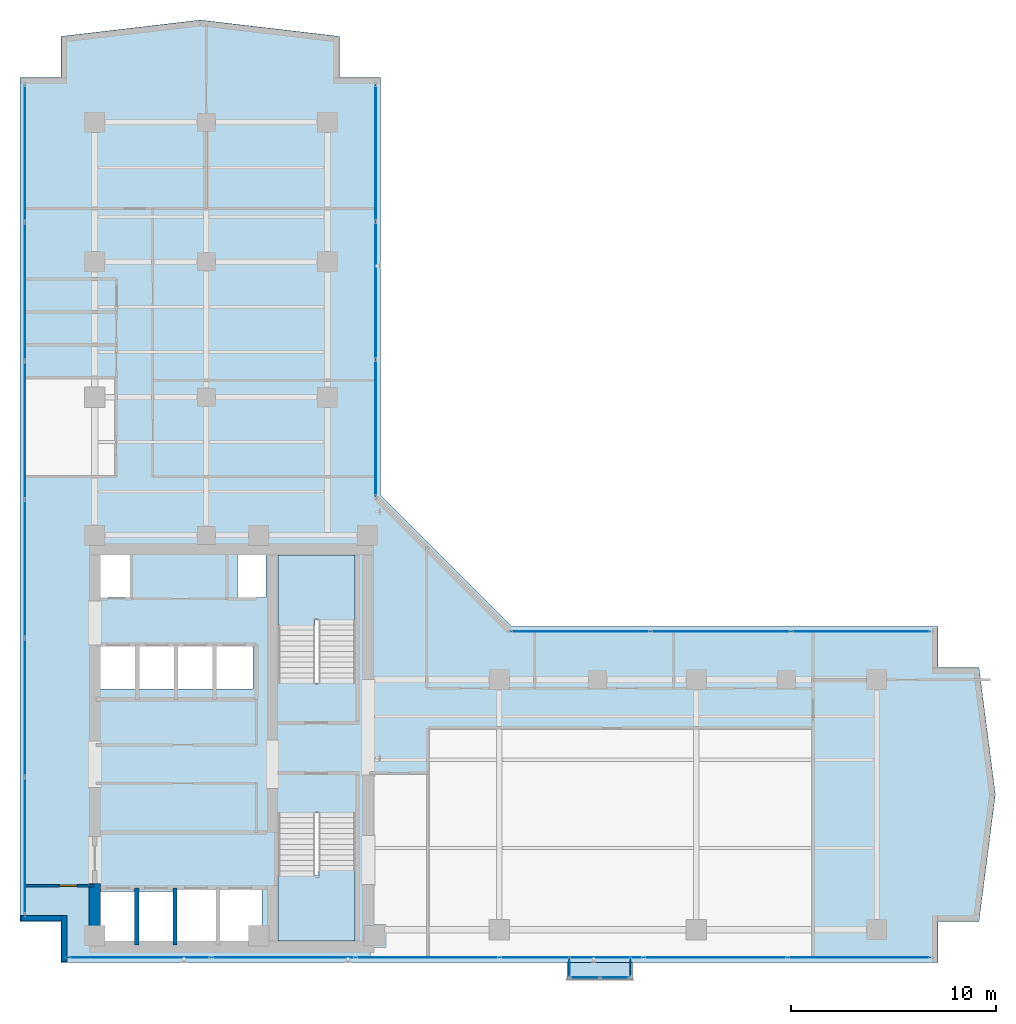
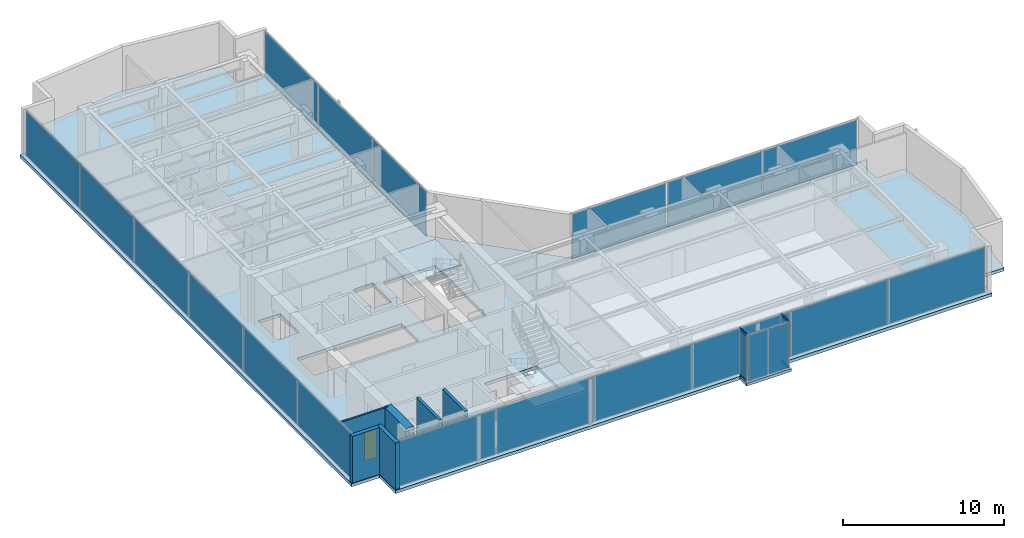
# One storey, part 16 of 23: 22 plates, 6 walls, 4 members, 4 slabs, 1 door, 1 opening, 9 elements without a shape of their own.
"""IFC4 building model written with IfcOpenShell, lengths in metres."""

from ifc_helpers import new_model, si_unit, direction, frame, frame_2d, origin, origin_with_axes, origin_2d, place, context, subcontext, project, spatial, polyline, rectangle, hollow_rectangle, outline, extrude, source, transform, mapped, material, layer, layer_set, material_profile, profile_set, type_object, element, fill, aggregate, save


model = new_model("IFC4")

# Units and contexts
model_context = context("Model", 3, precision=1e-05, world=origin(), true_north=direction((0.0, 1.0)))
body_context = subcontext(model_context, "Body", "Model", "MODEL_VIEW")
ifc_project = project(units=[si_unit("LENGTHUNIT", "METRE"), si_unit("AREAUNIT", "SQUARE_METRE"), si_unit("VOLUMEUNIT", "CUBIC_METRE"), si_unit("PLANEANGLEUNIT", "RADIAN"), si_unit("MASSUNIT", "GRAM", prefix="KILO")], contexts=[model_context])

# Site, building, storey
site_placement = place(None, origin())
site = spatial("IfcSite", under=ifc_project, at=site_placement, CompositionType="ELEMENT")
building_placement = place(site_placement, origin())
building = spatial("IfcBuilding", under=site, at=building_placement, Name="Kolvaren Waterfront Exchange", CompositionType="ELEMENT")
storey_placement = place(building_placement, frame((0.0, 0.0, 250.10009765625)))
storey = spatial("IfcBuildingStorey", under=building, at=storey_placement, Name="L64", CompositionType="ELEMENT", Elevation=250.10009765625)

# Curtain wall, members
ifc_material_1 = material(Name="Anodised bronze aluminium 6063-T6", Category="aluminium")
ifc_layer_1 = layer(ifc_material_1, 0.219970703125, Name="Anodised bronze aluminium 6063-T6")
ifc_layer_set_1 = layer_set([ifc_layer_1], Name="Anodised bronze aluminium 6063-T6")
curtain_wall_type_1 = type_object("IfcCurtainWallType", Name="ARC-CW-SYS3", PredefinedType="USERDEFINED", material=ifc_layer_set_1)
curtain_wall_1_placement = place(storey_placement, origin())
curtain_wall_1 = element("IfcCurtainWall", 1, at=curtain_wall_1_placement, inside=storey, type_object=curtain_wall_type_1, Name="L64 stick curtain wall CW3 (CW-L64-BOX-W)", ObjectType="STICK CURTAIN WALL", PredefinedType="USERDEFINED")
ifc_material_profile = material_profile(ifc_material_1, hollow_rectangle(XDim=0.06494140625, YDim=0.1298828125, WallThickness=0.00390625, at=origin_2d()), Name="ALU-TRN-130x65x4")
ifc_profile_set = profile_set([ifc_material_profile], Name="Anodised bronze aluminium 6063-T6")
member_type = type_object("IfcMemberType", Name="ARC-CWT-130", PredefinedType="USERDEFINED", material=ifc_profile_set)
shared_shape_1 = source(origin_with_axes(), body_context, "Body", "SweptSolid", [
    extrude(hollow_rectangle(XDim=0.06494140625, YDim=0.1298828125, WallThickness=0.00390625, at=origin_2d()), origin(), (0.0, 0.0, 1.0), 0.829833984375),
])
member_1_placement = place(storey_placement, frame((30.610107421875, 3.764892578125, 0.032470703125), z_axis=(0.0, -1.0, 0.0), x_axis=(1.0, 0.0, 0.0)))
member_1 = element("IfcMember", 2, at=member_1_placement, type_object=member_type, Name="CW3 transom 1.1", ObjectType="TRANSOM", PredefinedType="USERDEFINED", context=body_context, shape_type="MappedRepresentation", body=[
    mapped(shared_shape_1, transform((0.0, 0.0, 0.0), x_axis=(1.0, 0.0, 0.0), y_axis=(0.0, 1.0, 0.0), z_axis=(0.0, 0.0, 1.0), scale=1.0)),
])
member_2_placement = place(storey_placement, frame((30.610107421875, 3.764892578125, 3.52734375), z_axis=(0.0, -1.0, 0.0), x_axis=(1.0, 0.0, 0.0)))
member_2 = element("IfcMember", 3, at=member_2_placement, type_object=member_type, Name="CW3 transom 1.2", ObjectType="TRANSOM", PredefinedType="USERDEFINED", context=body_context, shape_type="MappedRepresentation", body=[
    mapped(shared_shape_1, transform((0.0, 0.0, 0.0), x_axis=(1.0, 0.0, 0.0), y_axis=(0.0, 1.0, 0.0), z_axis=(0.0, 0.0, 1.0), scale=1.0)),
])

curtain_wall_2_placement = place(storey_placement, origin())
curtain_wall_2 = element("IfcCurtainWall", 4, at=curtain_wall_2_placement, inside=storey, type_object=curtain_wall_type_1, Name="L64 stick curtain wall CW3 (CW-L64-BOX-E)", ObjectType="STICK CURTAIN WALL", PredefinedType="USERDEFINED")
member_3_placement = place(storey_placement, frame((33.590087890625, 2.93505859375, 0.032470703125), z_axis=(0.0, 1.0, 0.0), x_axis=(-1.0, 0.0, 0.0)))
member_3 = element("IfcMember", 5, at=member_3_placement, type_object=member_type, Name="CW3 transom 1.1", ObjectType="TRANSOM", PredefinedType="USERDEFINED", context=body_context, shape_type="MappedRepresentation", body=[
    mapped(shared_shape_1, transform((0.0, 0.0, 0.0), x_axis=(1.0, 0.0, 0.0), y_axis=(0.0, 1.0, 0.0), z_axis=(0.0, 0.0, 1.0), scale=1.0)),
])
member_4_placement = place(storey_placement, frame((33.590087890625, 2.93505859375, 3.52734375), z_axis=(0.0, 1.0, 0.0), x_axis=(-1.0, 0.0, 0.0)))
member_4 = element("IfcMember", 6, at=member_4_placement, type_object=member_type, Name="CW3 transom 1.2", ObjectType="TRANSOM", PredefinedType="USERDEFINED", context=body_context, shape_type="MappedRepresentation", body=[
    mapped(shared_shape_1, transform((0.0, 0.0, 0.0), x_axis=(1.0, 0.0, 0.0), y_axis=(0.0, 1.0, 0.0), z_axis=(0.0, 0.0, 1.0), scale=1.0)),
])

# Stair, slab
ifc_material_2 = material(Name="Concrete C40/50", Category="concrete")
stair_type = type_object("IfcStairType", Name="ARC-STAIR-3800", PredefinedType="HALF_TURN_STAIR", material=ifc_material_2)
stair_1_placement = place(storey_placement, origin())
stair_1 = element("IfcStair", 7, at=stair_1_placement, inside=storey, type_object=stair_type, Name="L64 Smoke-proof exit stair ST1", PredefinedType="HALF_TURN_STAIR")
ifc_layer_2 = layer(ifc_material_2, 0.199951171875, Name="Concrete C40/50")
ifc_layer_set_2 = layer_set([ifc_layer_2], Name="Concrete C40/50")
slab_type_1 = type_object("IfcSlabType", Name="STR-LANDING-200", PredefinedType="LANDING", material=ifc_layer_set_2)
slab_1_placement = place(storey_placement, frame((0.0, 0.0, 1.77587890625)))
slab_1 = element("IfcSlab", 8, at=slab_1_placement, type_object=slab_type_1, Name="ST1 landing 1", PredefinedType="LANDING", context=body_context, shape_type="SweptSolid", body=[
    extrude(outline(polyline([(16.39990234375, 7.840087890625), (16.39990234375, 4.64990234375), (20.159912109375, 4.64990234375), (20.159912109375, 8.10009765625), (18.360107421875, 8.10009765625), (18.360107421875, 7.840087890625), (16.39990234375, 7.840087890625)])), origin(), (0.0, 0.0, 1.0), 0.199951171875),
])
aggregate(stair_1, [slab_1])

stair_2_placement = place(storey_placement, origin())
stair_2 = element("IfcStair", 9, at=stair_2_placement, inside=storey, type_object=stair_type, Name="L64 Smoke-proof exit stair ST2", PredefinedType="HALF_TURN_STAIR")
slab_2_placement = place(storey_placement, frame((0.0, 0.0, 1.77587890625)))
slab_2 = element("IfcSlab", 10, at=slab_2_placement, type_object=slab_type_1, Name="ST2 landing 1", PredefinedType="LANDING", context=body_context, shape_type="SweptSolid", body=[
    extrude(outline(polyline([(20.159912109375, 20.31005859375), (20.159912109375, 23.5), (16.39990234375, 23.5), (16.39990234375, 20.050048828125), (18.199951171875, 20.050048828125), (18.199951171875, 20.31005859375), (20.159912109375, 20.31005859375)])), origin(), (0.0, 0.0, 1.0), 0.199951171875),
])
aggregate(stair_2, [slab_2])

# Slabs
ifc_layer_3 = layer(ifc_material_2, 0.239990234375, Name="Concrete C40/50")
ifc_layer_set_3 = layer_set([ifc_layer_3], Name="Concrete C40/50")
slab_type_2 = type_object("IfcSlabType", Name="STR-SLAB-240", PredefinedType="FLOOR", material=ifc_layer_set_3)
slab_3_placement = place(storey_placement, frame((0.0, 0.0, -0.239990234375)))
element("IfcSlab", 11, at=slab_3_placement, inside=storey, type_object=slab_type_2, Name="L64 structural floor slab", PredefinedType="FLOOR", context=body_context, shape_type="SweptSolid", body=[
    extrude(outline(polyline([(5.800048828125, 3.60009765625), (48.60009765625, 3.60009765625), (48.60009765625, 5.60009765625), (50.60009765625, 5.60009765625), (51.39990234375, 11.800048828125), (50.60009765625, 18.0), (48.60009765625, 18.0), (48.60009765625, 20.0), (27.800048828125, 20.0), (21.39990234375, 26.39990234375), (21.39990234375, 46.800048828125), (19.39990234375, 46.800048828125), (19.39990234375, 48.800048828125), (12.60009765625, 49.60009765625), (5.800048828125, 48.800048828125), (5.800048828125, 46.800048828125), (3.800048828125, 46.800048828125), (3.800048828125, 5.60009765625), (5.800048828125, 5.60009765625), (5.800048828125, 3.60009765625)]), holes=[polyline([(11.320068359375, 7.260009765625), (15.610107421875, 7.260009765625), (15.610107421875, 4.5400390625), (7.719970703125, 4.5400390625), (7.719970703125, 7.06005859375), (11.320068359375, 7.06005859375), (11.320068359375, 7.260009765625)]), polyline([(20.159912109375, 10.89990234375), (20.159912109375, 4.64990234375), (16.39990234375, 4.64990234375), (16.39990234375, 10.89990234375), (20.159912109375, 10.89990234375)]), polyline([(7.669921875, 19.06005859375), (15.159912109375, 19.06005859375), (15.159912109375, 16.93994140625), (7.669921875, 16.93994140625), (7.669921875, 19.06005859375)]), polyline([(16.39990234375, 17.25), (16.39990234375, 23.5), (20.159912109375, 23.5), (20.159912109375, 17.25), (16.39990234375, 17.25)]), polyline([(7.60009765625, 23.780029296875), (9.179931640625, 23.780029296875), (9.179931640625, 21.419921875), (7.60009765625, 21.419921875), (7.60009765625, 23.780029296875)]), polyline([(14.419921875, 23.780029296875), (15.800048828125, 23.780029296875), (15.800048828125, 21.419921875), (14.419921875, 21.419921875), (14.419921875, 23.780029296875)])]), origin(), (0.0, 0.0, 1.0), 0.239990234375),
])
ifc_layer_4 = layer(ifc_material_2, 0.219970703125, Name="Concrete C40/50")
ifc_layer_set_4 = layer_set([ifc_layer_4], Name="Concrete C40/50")
slab_type_3 = type_object("IfcSlabType", Name="STR-TERR-220", PredefinedType="FLOOR", material=ifc_layer_set_4)
slab_4_placement = place(storey_placement, frame((0.0, 0.0, -0.22021484375)))
element("IfcSlab", 12, at=slab_4_placement, inside=storey, type_object=slab_type_3, Name="L64 projecting bay-box floor strip", PredefinedType="FLOOR", context=body_context, shape_type="SweptSolid", body=[
    extrude(outline(polyline([(30.5, 2.75), (33.699951171875, 2.75), (33.699951171875, 3.60009765625), (30.5, 3.60009765625), (30.5, 2.75)])), origin(), (0.0, 0.0, 1.0), 0.22021484375),
])

# Plate
ifc_material_3 = material(Name="Bronze tinted bay-box vision glass", Category="aluminium")
ifc_layer_5 = layer(ifc_material_3, 0.02392578125, Name="Bronze tinted bay-box vision glass")
ifc_layer_set_5 = layer_set([ifc_layer_5], Name="Bronze tinted bay-box vision glass")
plate_type_1 = type_object("IfcPlateType", Name="ARC-CWP-24", PredefinedType="CURTAIN_PANEL", material=ifc_layer_set_5)
shared_shape_2 = source(origin_with_axes(), body_context, "Body", "SweptSolid", [
    extrude(rectangle(XDim=0.830078125, YDim=0.02392578125, at=origin_2d()), origin(), (0.0, 0.0, 1.0), 3.429931640625),
])
plate_1_placement = place(storey_placement, frame((30.610107421875, 3.35009765625, 0.06494140625), z_axis=(0.0, 0.0, 1.0), x_axis=(0.0, -1.0, 0.0)))
plate_1 = element("IfcPlate", 13, at=plate_1_placement, type_object=plate_type_1, Name="CW3 panel 1.1", PredefinedType="CURTAIN_PANEL", context=body_context, shape_type="MappedRepresentation", body=[
    mapped(shared_shape_2, transform((0.0, 0.0, 0.0), x_axis=(1.0, 0.0, 0.0), y_axis=(0.0, 1.0, 0.0), z_axis=(0.0, 0.0, 1.0), scale=1.0)),
])

aggregate(curtain_wall_1, [member_1, member_2, plate_1])

plate_2_placement = place(storey_placement, frame((33.590087890625, 3.35009765625, 0.06494140625), z_axis=(0.0, 0.0, 1.0), x_axis=(0.0, 1.0, 0.0)))
plate_2 = element("IfcPlate", 14, at=plate_2_placement, type_object=plate_type_1, Name="CW3 panel 1.1", PredefinedType="CURTAIN_PANEL", context=body_context, shape_type="MappedRepresentation", body=[
    mapped(shared_shape_2, transform((0.0, 0.0, 0.0), x_axis=(1.0, 0.0, 0.0), y_axis=(0.0, 1.0, 0.0), z_axis=(0.0, 0.0, 1.0), scale=1.0)),
])

aggregate(curtain_wall_2, [member_3, member_4, plate_2])

# Curtain wall, plates
curtain_wall_3_placement = place(storey_placement, origin())
curtain_wall_3 = element("IfcCurtainWall", 15, at=curtain_wall_3_placement, inside=storey, type_object=curtain_wall_type_1, Name="L64 stick curtain wall CW3 (CW-L64-BOX)", ObjectType="STICK CURTAIN WALL", PredefinedType="USERDEFINED")
shared_shape_3 = source(origin_with_axes(), body_context, "Body", "SweptSolid", [
    extrude(rectangle(XDim=1.37744140625, YDim=0.02392578125, at=origin_2d()), origin(), (0.0, 0.0, 1.0), 3.429931640625),
])
plate_3_placement = place(storey_placement, frame((31.373779296875, 2.860107421875, 0.06494140625), z_axis=(0.0, 0.0, 1.0), x_axis=(1.0, 0.0, 0.0)))
plate_3 = element("IfcPlate", 16, at=plate_3_placement, type_object=plate_type_1, Name="CW3 panel 1.1", PredefinedType="CURTAIN_PANEL", context=body_context, shape_type="MappedRepresentation", body=[
    mapped(shared_shape_3, transform((0.0, 0.0, 0.0), x_axis=(1.0, 0.0, 0.0), y_axis=(0.0, 1.0, 0.0), z_axis=(0.0, 0.0, 1.0), scale=1.0)),
])
plate_4_placement = place(storey_placement, frame((32.826171875, 2.860107421875, 0.06494140625), z_axis=(0.0, 0.0, 1.0), x_axis=(1.0, 0.0, 0.0)))
plate_4 = element("IfcPlate", 17, at=plate_4_placement, type_object=plate_type_1, Name="CW3 panel 2.1", PredefinedType="CURTAIN_PANEL", context=body_context, shape_type="MappedRepresentation", body=[
    mapped(shared_shape_3, transform((0.0, 0.0, 0.0), x_axis=(1.0, 0.0, 0.0), y_axis=(0.0, 1.0, 0.0), z_axis=(0.0, 0.0, 1.0), scale=1.0)),
])
aggregate(curtain_wall_3, [plate_3, plate_4])

ifc_material_4 = material(Name="Anodised aluminium 6063-T6", Category="aluminium")
ifc_layer_6 = layer(ifc_material_4, 0.219970703125, Name="Anodised aluminium 6063-T6")
ifc_layer_set_6 = layer_set([ifc_layer_6], Name="Anodised aluminium 6063-T6")
curtain_wall_type_2 = type_object("IfcCurtainWallType", Name="ARC-CW-SYS2", PredefinedType="USERDEFINED", material=ifc_layer_set_6)
curtain_wall_4_placement = place(storey_placement, origin())
curtain_wall_4 = element("IfcCurtainWall", 18, at=curtain_wall_4_placement, inside=storey, type_object=curtain_wall_type_2, Name="L64 stick curtain wall CW2 (CW-L64-W)", ObjectType="STICK CURTAIN WALL", PredefinedType="USERDEFINED")
ifc_material_5 = material(Name="Acoustic laminated vision glass", Category="glass")
ifc_layer_7 = layer(ifc_material_5, 0.031982421875, Name="Acoustic laminated vision glass")
ifc_layer_set_7 = layer_set([ifc_layer_7], Name="Acoustic laminated vision glass")
plate_type_2 = type_object("IfcPlateType", Name="ARC-CWP-32", PredefinedType="CURTAIN_PANEL", material=ifc_layer_set_7)
shared_shape_4 = source(origin_with_axes(), body_context, "Body", "SweptSolid", [
    extrude(rectangle(XDim=6.646728515625, YDim=0.031982421875, at=origin_2d()), origin(), (0.0, 0.0, 1.0), 3.409912109375),
])
plate_5_placement = place(storey_placement, frame((4.0400390625, 9.30322265625, 0.07470703125), z_axis=(0.0, 0.0, 1.0), x_axis=(0.0, 1.0, 0.0)))
plate_5 = element("IfcPlate", 19, at=plate_5_placement, type_object=plate_type_2, Name="CW2 panel 1.1", PredefinedType="CURTAIN_PANEL", context=body_context, shape_type="MappedRepresentation", body=[
    mapped(shared_shape_4, transform((0.0, 0.0, 0.0), x_axis=(1.0, 0.0, 0.0), y_axis=(0.0, 1.0, 0.0), z_axis=(0.0, 0.0, 1.0), scale=1.0)),
])
plate_6_placement = place(storey_placement, frame((4.0400390625, 43.0966796875, 0.07470703125), z_axis=(0.0, 0.0, 1.0), x_axis=(0.0, 1.0, 0.0)))
plate_6 = element("IfcPlate", 20, at=plate_6_placement, type_object=plate_type_2, Name="CW2 panel 6.1", PredefinedType="CURTAIN_PANEL", context=body_context, shape_type="MappedRepresentation", body=[
    mapped(shared_shape_4, transform((0.0, 0.0, 0.0), x_axis=(1.0, 0.0, 0.0), y_axis=(0.0, 1.0, 0.0), z_axis=(0.0, 0.0, 1.0), scale=1.0)),
])
shared_shape_5 = source(origin_with_axes(), body_context, "Body", "SweptSolid", [
    extrude(rectangle(XDim=6.686767578125, YDim=0.031982421875, at=origin_2d()), origin(), (0.0, 0.0, 1.0), 3.409912109375),
])
plate_7_placement = place(storey_placement, frame((4.0400390625, 16.050048828125, 0.07470703125), z_axis=(0.0, 0.0, 1.0), x_axis=(0.0, 1.0, 0.0)))
plate_7 = element("IfcPlate", 21, at=plate_7_placement, type_object=plate_type_2, Name="CW2 panel 2.1", PredefinedType="CURTAIN_PANEL", context=body_context, shape_type="MappedRepresentation", body=[
    mapped(shared_shape_5, transform((0.0, 0.0, 0.0), x_axis=(1.0, 0.0, 0.0), y_axis=(0.0, 1.0, 0.0), z_axis=(0.0, 0.0, 1.0), scale=1.0)),
])
plate_8_placement = place(storey_placement, frame((4.0400390625, 22.816650390625, 0.07470703125), z_axis=(0.0, 0.0, 1.0), x_axis=(0.0, 1.0, 0.0)))
plate_8 = element("IfcPlate", 22, at=plate_8_placement, type_object=plate_type_2, Name="CW2 panel 3.1", PredefinedType="CURTAIN_PANEL", context=body_context, shape_type="MappedRepresentation", body=[
    mapped(shared_shape_5, transform((0.0, 0.0, 0.0), x_axis=(1.0, 0.0, 0.0), y_axis=(0.0, 1.0, 0.0), z_axis=(0.0, 0.0, 1.0), scale=1.0)),
])
plate_9_placement = place(storey_placement, frame((4.0400390625, 29.583251953125, 0.07470703125), z_axis=(0.0, 0.0, 1.0), x_axis=(0.0, 1.0, 0.0)))
plate_9 = element("IfcPlate", 23, at=plate_9_placement, type_object=plate_type_2, Name="CW2 panel 4.1", PredefinedType="CURTAIN_PANEL", context=body_context, shape_type="MappedRepresentation", body=[
    mapped(shared_shape_5, transform((0.0, 0.0, 0.0), x_axis=(1.0, 0.0, 0.0), y_axis=(0.0, 1.0, 0.0), z_axis=(0.0, 0.0, 1.0), scale=1.0)),
])
plate_10_placement = place(storey_placement, frame((4.0400390625, 36.35009765625, 0.07470703125), z_axis=(0.0, 0.0, 1.0), x_axis=(0.0, 1.0, 0.0)))
plate_10 = element("IfcPlate", 24, at=plate_10_placement, type_object=plate_type_2, Name="CW2 panel 5.1", PredefinedType="CURTAIN_PANEL", context=body_context, shape_type="MappedRepresentation", body=[
    mapped(shared_shape_5, transform((0.0, 0.0, 0.0), x_axis=(1.0, 0.0, 0.0), y_axis=(0.0, 1.0, 0.0), z_axis=(0.0, 0.0, 1.0), scale=1.0)),
])
aggregate(curtain_wall_4, [plate_5, plate_7, plate_8, plate_9, plate_10, plate_6])

ifc_layer_8 = layer(ifc_material_1, 0.219970703125, Name="Anodised bronze aluminium 6063-T6")
ifc_layer_set_8 = layer_set([ifc_layer_8], Name="Anodised bronze aluminium 6063-T6")
curtain_wall_type_3 = type_object("IfcCurtainWallType", Name="ARC-CW-SYS1", PredefinedType="USERDEFINED", material=ifc_layer_set_8)
curtain_wall_5_placement = place(storey_placement, origin())
curtain_wall_5 = element("IfcCurtainWall", 25, at=curtain_wall_5_placement, inside=storey, type_object=curtain_wall_type_3, Name="L64 stick curtain wall CW1 (CW-L64-S)", ObjectType="STICK CURTAIN WALL", PredefinedType="USERDEFINED")
ifc_material_6 = material(Name="Bronze solar control vision glass", Category="aluminium")
ifc_layer_9 = layer(ifc_material_6, 0.028076171875, Name="Bronze solar control vision glass")
ifc_layer_set_9 = layer_set([ifc_layer_9], Name="Bronze solar control vision glass")
plate_type_3 = type_object("IfcPlateType", Name="ARC-CWP-28", PredefinedType="CURTAIN_PANEL", material=ifc_layer_set_9)
shared_shape_6 = source(origin_with_axes(), body_context, "Body", "SweptSolid", [
    extrude(rectangle(XDim=6.913330078125, YDim=0.028076171875, at=origin_2d()), origin(), (0.0, 0.0, 1.0), 3.409912109375),
])
plate_11_placement = place(storey_placement, frame((9.63671875, 3.840087890625, 0.07470703125), z_axis=(0.0, 0.0, 1.0), x_axis=(1.0, 0.0, 0.0)))
plate_11 = element("IfcPlate", 26, at=plate_11_placement, type_object=plate_type_3, Name="CW1 panel 1.1", PredefinedType="CURTAIN_PANEL", context=body_context, shape_type="MappedRepresentation", body=[
    mapped(shared_shape_6, transform((0.0, 0.0, 0.0), x_axis=(1.0, 0.0, 0.0), y_axis=(0.0, 1.0, 0.0), z_axis=(0.0, 0.0, 1.0), scale=1.0)),
])
plate_12_placement = place(storey_placement, frame((44.763427734375, 3.840087890625, 0.07470703125), z_axis=(0.0, 0.0, 1.0), x_axis=(1.0, 0.0, 0.0)))
plate_12 = element("IfcPlate", 27, at=plate_12_placement, type_object=plate_type_3, Name="CW1 panel 6.1", PredefinedType="CURTAIN_PANEL", context=body_context, shape_type="MappedRepresentation", body=[
    mapped(shared_shape_6, transform((0.0, 0.0, 0.0), x_axis=(1.0, 0.0, 0.0), y_axis=(0.0, 1.0, 0.0), z_axis=(0.0, 0.0, 1.0), scale=1.0)),
])
shared_shape_7 = source(origin_with_axes(), body_context, "Body", "SweptSolid", [
    extrude(rectangle(XDim=6.953369140625, YDim=0.028076171875, at=origin_2d()), origin(), (0.0, 0.0, 1.0), 3.409912109375),
])
plate_13_placement = place(storey_placement, frame((16.64990234375, 3.840087890625, 0.07470703125), z_axis=(0.0, 0.0, 1.0), x_axis=(1.0, 0.0, 0.0)))
plate_13 = element("IfcPlate", 28, at=plate_13_placement, type_object=plate_type_3, Name="CW1 panel 2.1", PredefinedType="CURTAIN_PANEL", context=body_context, shape_type="MappedRepresentation", body=[
    mapped(shared_shape_7, transform((0.0, 0.0, 0.0), x_axis=(1.0, 0.0, 0.0), y_axis=(0.0, 1.0, 0.0), z_axis=(0.0, 0.0, 1.0), scale=1.0)),
])
plate_14_placement = place(storey_placement, frame((23.683349609375, 3.840087890625, 0.07470703125), z_axis=(0.0, 0.0, 1.0), x_axis=(1.0, 0.0, 0.0)))
plate_14 = element("IfcPlate", 29, at=plate_14_placement, type_object=plate_type_3, Name="CW1 panel 3.1", PredefinedType="CURTAIN_PANEL", context=body_context, shape_type="MappedRepresentation", body=[
    mapped(shared_shape_7, transform((0.0, 0.0, 0.0), x_axis=(1.0, 0.0, 0.0), y_axis=(0.0, 1.0, 0.0), z_axis=(0.0, 0.0, 1.0), scale=1.0)),
])
plate_15_placement = place(storey_placement, frame((30.716552734375, 3.840087890625, 0.07470703125), z_axis=(0.0, 0.0, 1.0), x_axis=(1.0, 0.0, 0.0)))
plate_15 = element("IfcPlate", 30, at=plate_15_placement, type_object=plate_type_3, Name="CW1 panel 4.1", PredefinedType="CURTAIN_PANEL", context=body_context, shape_type="MappedRepresentation", body=[
    mapped(shared_shape_7, transform((0.0, 0.0, 0.0), x_axis=(1.0, 0.0, 0.0), y_axis=(0.0, 1.0, 0.0), z_axis=(0.0, 0.0, 1.0), scale=1.0)),
])
plate_16_placement = place(storey_placement, frame((37.75, 3.840087890625, 0.07470703125), z_axis=(0.0, 0.0, 1.0), x_axis=(1.0, 0.0, 0.0)))
plate_16 = element("IfcPlate", 31, at=plate_16_placement, type_object=plate_type_3, Name="CW1 panel 5.1", PredefinedType="CURTAIN_PANEL", context=body_context, shape_type="MappedRepresentation", body=[
    mapped(shared_shape_7, transform((0.0, 0.0, 0.0), x_axis=(1.0, 0.0, 0.0), y_axis=(0.0, 1.0, 0.0), z_axis=(0.0, 0.0, 1.0), scale=1.0)),
])
aggregate(curtain_wall_5, [plate_11, plate_13, plate_14, plate_15, plate_16, plate_12])

curtain_wall_6_placement = place(storey_placement, origin())
curtain_wall_6 = element("IfcCurtainWall", 32, at=curtain_wall_6_placement, inside=storey, type_object=curtain_wall_type_3, Name="L64 stick curtain wall CW1 (CW-L64-NE)", ObjectType="STICK CURTAIN WALL", PredefinedType="USERDEFINED")
shared_shape_8 = source(origin_with_axes(), body_context, "Body", "SweptSolid", [
    extrude(rectangle(XDim=6.61669921875, YDim=0.028076171875, at=origin_2d()), origin(), (0.0, 0.0, 1.0), 3.409912109375),
])
plate_17_placement = place(storey_placement, frame((21.159912109375, 29.67822265625, 0.07470703125), z_axis=(0.0, 0.0, 1.0), x_axis=(0.0, 1.0, 0.0)))
plate_17 = element("IfcPlate", 33, at=plate_17_placement, type_object=plate_type_3, Name="CW1 panel 1.1", PredefinedType="CURTAIN_PANEL", context=body_context, shape_type="MappedRepresentation", body=[
    mapped(shared_shape_8, transform((0.0, 0.0, 0.0), x_axis=(1.0, 0.0, 0.0), y_axis=(0.0, 1.0, 0.0), z_axis=(0.0, 0.0, 1.0), scale=1.0)),
])
plate_18_placement = place(storey_placement, frame((21.159912109375, 43.111572265625, 0.07470703125), z_axis=(0.0, 0.0, 1.0), x_axis=(0.0, 1.0, 0.0)))
plate_18 = element("IfcPlate", 34, at=plate_18_placement, type_object=plate_type_3, Name="CW1 panel 3.1", PredefinedType="CURTAIN_PANEL", context=body_context, shape_type="MappedRepresentation", body=[
    mapped(shared_shape_8, transform((0.0, 0.0, 0.0), x_axis=(1.0, 0.0, 0.0), y_axis=(0.0, 1.0, 0.0), z_axis=(0.0, 0.0, 1.0), scale=1.0)),
])
shared_shape_9 = source(origin_with_axes(), body_context, "Body", "SweptSolid", [
    extrude(rectangle(XDim=6.65673828125, YDim=0.028076171875, at=origin_2d()), origin(), (0.0, 0.0, 1.0), 3.409912109375),
])
plate_19_placement = place(storey_placement, frame((21.159912109375, 36.39501953125, 0.07470703125), z_axis=(0.0, 0.0, 1.0), x_axis=(0.0, 1.0, 0.0)))
plate_19 = element("IfcPlate", 35, at=plate_19_placement, type_object=plate_type_3, Name="CW1 panel 2.1", PredefinedType="CURTAIN_PANEL", context=body_context, shape_type="MappedRepresentation", body=[
    mapped(shared_shape_9, transform((0.0, 0.0, 0.0), x_axis=(1.0, 0.0, 0.0), y_axis=(0.0, 1.0, 0.0), z_axis=(0.0, 0.0, 1.0), scale=1.0)),
])
aggregate(curtain_wall_6, [plate_17, plate_19, plate_18])

curtain_wall_7_placement = place(storey_placement, origin())
curtain_wall_7 = element("IfcCurtainWall", 36, at=curtain_wall_7_placement, inside=storey, type_object=curtain_wall_type_3, Name="L64 stick curtain wall CW1 (CW-L64-EN)", ObjectType="STICK CURTAIN WALL", PredefinedType="USERDEFINED")
shared_shape_10 = source(origin_with_axes(), body_context, "Body", "SweptSolid", [
    extrude(rectangle(XDim=6.75, YDim=0.028076171875, at=origin_2d()), origin(), (0.0, 0.0, 1.0), 3.409912109375),
])
plate_20_placement = place(storey_placement, frame((31.14501953125, 19.760009765625, 0.07470703125), z_axis=(0.0, 0.0, 1.0), x_axis=(1.0, 0.0, 0.0)))
plate_20 = element("IfcPlate", 37, at=plate_20_placement, type_object=plate_type_3, Name="CW1 panel 1.1", PredefinedType="CURTAIN_PANEL", context=body_context, shape_type="MappedRepresentation", body=[
    mapped(shared_shape_10, transform((0.0, 0.0, 0.0), x_axis=(1.0, 0.0, 0.0), y_axis=(0.0, 1.0, 0.0), z_axis=(0.0, 0.0, 1.0), scale=1.0)),
])
plate_21_placement = place(storey_placement, frame((44.844970703125, 19.760009765625, 0.07470703125), z_axis=(0.0, 0.0, 1.0), x_axis=(1.0, 0.0, 0.0)))
plate_21 = element("IfcPlate", 38, at=plate_21_placement, type_object=plate_type_3, Name="CW1 panel 3.1", PredefinedType="CURTAIN_PANEL", context=body_context, shape_type="MappedRepresentation", body=[
    mapped(shared_shape_10, transform((0.0, 0.0, 0.0), x_axis=(1.0, 0.0, 0.0), y_axis=(0.0, 1.0, 0.0), z_axis=(0.0, 0.0, 1.0), scale=1.0)),
])
shared_shape_11 = source(origin_with_axes(), body_context, "Body", "SweptSolid", [
    extrude(rectangle(XDim=6.7900390625, YDim=0.028076171875, at=origin_2d()), origin(), (0.0, 0.0, 1.0), 3.409912109375),
])
plate_22_placement = place(storey_placement, frame((37.9951171875, 19.760009765625, 0.07470703125), z_axis=(0.0, 0.0, 1.0), x_axis=(1.0, 0.0, 0.0)))
plate_22 = element("IfcPlate", 39, at=plate_22_placement, type_object=plate_type_3, Name="CW1 panel 2.1", PredefinedType="CURTAIN_PANEL", context=body_context, shape_type="MappedRepresentation", body=[
    mapped(shared_shape_11, transform((0.0, 0.0, 0.0), x_axis=(1.0, 0.0, 0.0), y_axis=(0.0, 1.0, 0.0), z_axis=(0.0, 0.0, 1.0), scale=1.0)),
])
aggregate(curtain_wall_7, [plate_20, plate_22, plate_21])

# Walls
ifc_material_7 = material(Name="Precast concrete C40/50", Category="concrete")
ifc_layer_10 = layer(ifc_material_7, 0.280029296875, Name="Precast concrete C40/50")
ifc_layer_set_10 = layer_set([ifc_layer_10], Name="Precast concrete C40/50")
wall_type_1 = type_object("IfcWallType", Name="ARC-EXT-TERR-280", PredefinedType="SOLIDWALL", material=ifc_layer_set_10)
wall_1_placement = place(storey_placement, frame((5.9599609375, 3.659912109375, 0.0), z_axis=(0.0, 0.0, 1.0), x_axis=(0.0, 1.0, 0.0)))
element("IfcWall", 40, at=wall_1_placement, inside=storey, type_object=wall_type_1, Name="L64 notched corner spandrel pier SW-A", PredefinedType="SOLIDWALL", context=body_context, shape_type="SweptSolid", body=[
    extrude(rectangle(XDim=2.239990234375, YDim=0.280029296875, at=frame_2d((1.1201171875, 0.0))), origin(), (0.0, 0.0, 1.0), 3.559814453125),
])
wall_2_placement = place(storey_placement, frame((3.860107421875, 5.760009765625, 0.0), z_axis=(0.0, 0.0, 1.0), x_axis=(1.0, 0.0, 0.0)))
element("IfcWall", 41, at=wall_2_placement, inside=storey, type_object=wall_type_1, Name="L64 notched corner spandrel pier SW-B", PredefinedType="SOLIDWALL", context=body_context, shape_type="SweptSolid", body=[
    extrude(rectangle(XDim=1.9599609375, YDim=0.280029296875, at=frame_2d((0.97998046875, 0.0))), origin(), (0.0, 0.0, 1.0), 3.559814453125),
])

# Wall, opening, door
ifc_material_8 = material(Name="Acoustic gypsum steel stud", Category="steel")
ifc_layer_11 = layer(ifc_material_8, 0.125, Name="Acoustic gypsum steel stud")
ifc_layer_set_11 = layer_set([ifc_layer_11], Name="Acoustic gypsum steel stud")
wall_type_2 = type_object("IfcWallType", Name="ARC-PART-125", PredefinedType="PARTITIONING", material=ifc_layer_set_11)
wall_3_placement = place(storey_placement, frame((4.0400390625, 7.35009765625, 0.0), z_axis=(0.0, 0.0, 1.0), x_axis=(1.0, 0.0, 0.0)))
wall_3 = element("IfcWall", 42, at=wall_3_placement, inside=storey, type_object=wall_type_2, Name="L64 interior wall PW-L64-SWC-N", PredefinedType="PARTITIONING", context=body_context, shape_type="SweptSolid", body=[
    extrude(rectangle(XDim=3.35986328125, YDim=0.125, at=frame_2d((1.679931640625, 0.0))), origin(), (0.0, 0.0, 1.0), 3.559814453125),
])
opening_placement = place(wall_3_placement, frame((1.686767578125, 0.0, 0.0)))
opening = element("IfcOpeningElement", 43, at=opening_placement, cuts=wall_3, Name="Opening D01", PredefinedType="OPENING", context=body_context, shape_type="SweptSolid", body=[
    extrude(rectangle(XDim=0.85009765625, YDim=2.14990234375, at=frame_2d((0.425048828125, 1.074951171875))), frame((0.0, 0.072509765625, 0.0), z_axis=(0.0, -1.0, 0.0), x_axis=(1.0, 0.0, 0.0)), (0.0, 0.0, 1.0), 0.14501953125),
])
ifc_material_9 = material(Name="Oak veneer timber leaf", Category="wood")
door_type = type_object("IfcDoorType", Name="ARC-DR-900", OperationType="NOTDEFINED", PredefinedType="DOOR", material=ifc_material_9)
door_placement = place(opening_placement, origin())
door = element("IfcDoor", 44, at=door_placement, inside=storey, type_object=door_type, Name="L64 door DR-L64-SWC-D (D01)", OperationType="SINGLE_SWING_LEFT", OverallHeight=2.14990234375, OverallWidth=0.85009765625, PredefinedType="DOOR", context=body_context, shape_type="SweptSolid", body=[
    extrude(rectangle(XDim=0.85009765625, YDim=2.14990234375, at=frame_2d((0.425048828125, 1.074951171875))), frame((0.0, 0.02490234375, 0.0), z_axis=(0.0, -1.0, 0.0), x_axis=(1.0, 0.0, 0.0)), (0.0, 0.0, 1.0), 0.050048828125),
])
fill(opening, door)

# Walls
ifc_layer_12 = layer(ifc_material_2, 0.199951171875, Name="Concrete C40/50")
ifc_layer_set_12 = layer_set([ifc_layer_12], Name="Concrete C40/50")
wall_type_3 = type_object("IfcWallType", Name="ARC-SHAFT-200", PredefinedType="PARTITIONING", material=ifc_layer_set_12)
for number, where, z_axis, x_axis, name in (
    (45, (9.5, 4.449951171875, 0.0), (0.0, 0.0, 1.0), (0.0, 1.0, 0.0), "L64 interior wall PW-L64-SH1-DIV-95"),
    (46, (11.360107421875, 4.449951171875, 0.0), (0.0, 0.0, 1.0), (0.0, 1.0, 0.0), "L64 interior wall PW-L64-SH1-DIV-113"),
):
    element("IfcWall", number, at=place(storey_placement, frame(where, z_axis=z_axis, x_axis=x_axis)), inside=storey, type_object=wall_type_3, Name=name, PredefinedType="PARTITIONING", context=body_context, shape_type="SweptSolid", body=[
        extrude(rectangle(XDim=2.800048828125, YDim=0.199951171875, at=frame_2d((1.39990234375, 0.0))), origin(), (0.0, 0.0, 1.0), 3.559814453125),
    ])
ifc_material_10 = material(Name="Concrete C50/60", Category="concrete")
ifc_layer_13 = layer(ifc_material_10, 0.550048828125, Name="Concrete C50/60")
ifc_layer_set_13 = layer_set([ifc_layer_13], Name="Concrete C50/60")
wall_type_4 = type_object("IfcWallType", Name="STR-CWALL-550", PredefinedType="SHEAR", material=ifc_layer_set_13)
wall_4_placement = place(storey_placement, frame((7.449951171875, 4.64990234375, 0.0), z_axis=(0.0, 0.0, 1.0), x_axis=(0.0, 1.0, 0.0)))
element("IfcWall", 47, at=wall_4_placement, inside=storey, type_object=wall_type_4, Name="L64 rear-core shear wall W1", PredefinedType="SHEAR", context=body_context, shape_type="SweptSolid", body=[
    extrude(rectangle(XDim=2.800048828125, YDim=0.550048828125, at=frame_2d((1.39990234375, 0.0))), origin(), (0.0, 0.0, 1.0), 3.559814453125),
])

save(model, "model.ifc")
